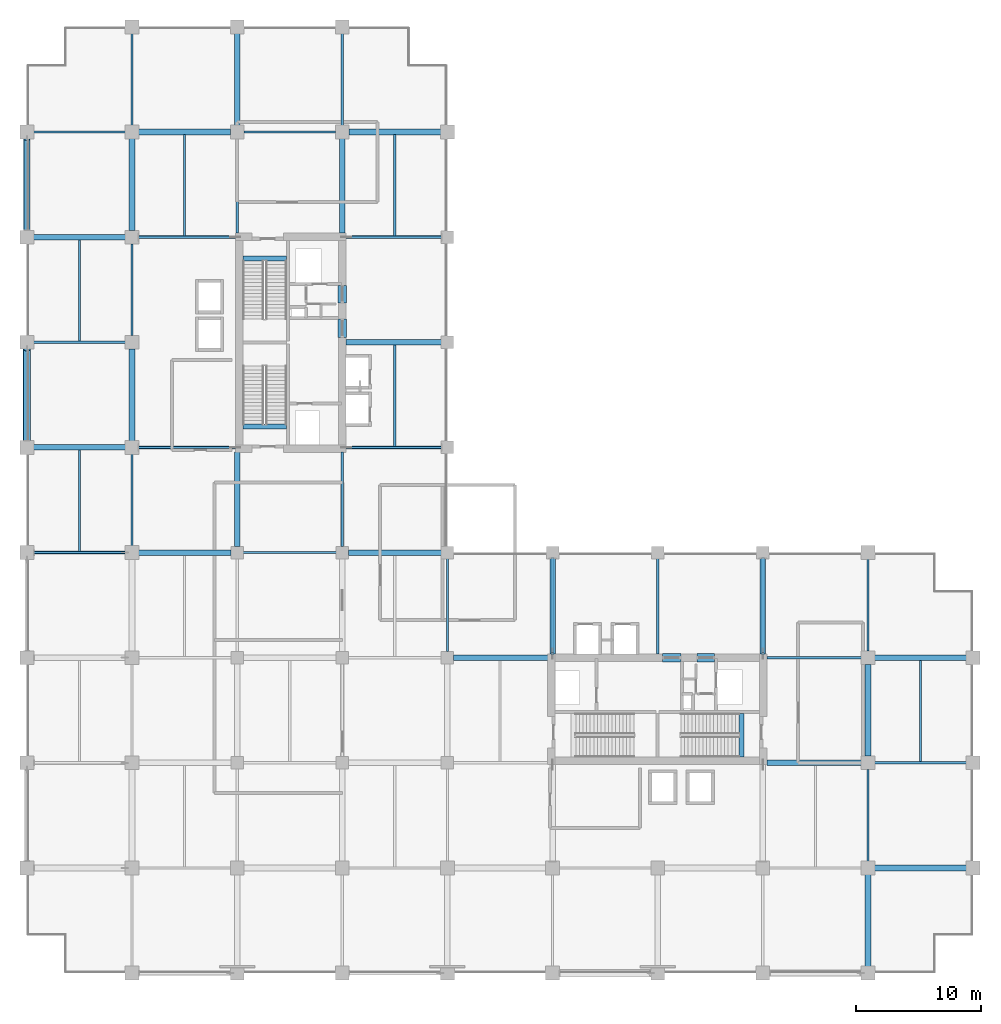
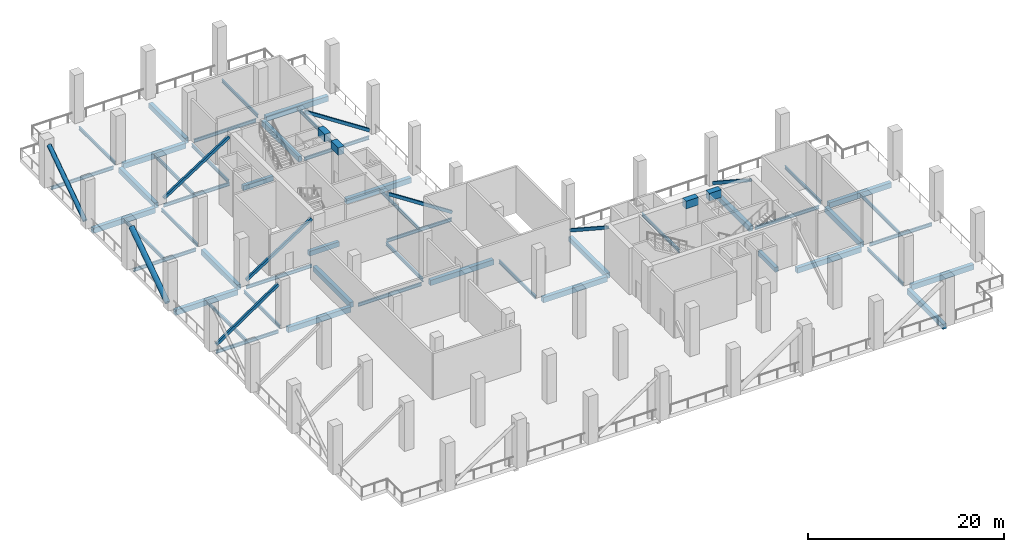
# One storey, part 2 of 18: 54 beams, 9 members.
"""IFC4 building model written with IfcOpenShell, lengths in metres."""

from ifc_helpers import new_model, si_unit, direction, frame, origin, origin_2d, place, context, subcontext, project, spatial, rectangle, hollow_rectangle, hollow_circle, i_section, extrude, material, material_profile, profile_set, type_object, element, save


model = new_model("IFC4")

# Units and contexts
model_context = context("Model", 3, precision=1e-05, world=origin(), true_north=direction((0.0, 1.0)))
body_context = subcontext(model_context, "Body", "Model", "MODEL_VIEW")
ifc_project = project(units=[si_unit("LENGTHUNIT", "METRE"), si_unit("AREAUNIT", "SQUARE_METRE"), si_unit("VOLUMEUNIT", "CUBIC_METRE"), si_unit("PLANEANGLEUNIT", "RADIAN"), si_unit("MASSUNIT", "GRAM", prefix="KILO")], contexts=[model_context])

# Site, building, storey
site_placement = place(None, origin())
site = spatial("IfcSite", under=ifc_project, at=site_placement, CompositionType="ELEMENT")
building_placement = place(site_placement, origin())
building = spatial("IfcBuilding", under=site, at=building_placement, Name="Koriwani Terraces Tower", CompositionType="ELEMENT")
storey_placement = place(building_placement, frame((0.0, 0.0, 228.199951171875)))
storey = spatial("IfcBuildingStorey", under=building, at=storey_placement, Name="L56", CompositionType="ELEMENT", Elevation=228.199951171875)

# Beams
ifc_material_1 = material(Name="Concrete C60/75", Category="concrete")
ifc_material_profile_1 = material_profile(ifc_material_1, rectangle(XDim=0.699951171875, YDim=0.949951171875, at=origin_2d()), Name="Concrete C60/75", Category="LoadBearing")
ifc_profile_set_1 = profile_set([ifc_material_profile_1], Name="Concrete C60/75")
beam_type_1 = type_object("IfcBeamType", Name="BEAM_RC_COUPLING_700X950", PredefinedType="LINTEL", material=ifc_profile_set_1)
beam_1_placement = place(storey_placement, frame((25.199951171875, 50.800048828125, 5.295166015625), z_axis=(0.0, 1.0, 0.0), x_axis=(-1.0, 0.0, 0.0)))
element("IfcBeam", 1, at=beam_1_placement, inside=storey, type_object=beam_type_1, Name="L56 Core Coupling Lintel Beam WE1", PredefinedType="LINTEL", context=body_context, shape_type="SweptSolid", body=[
    extrude(rectangle(XDim=0.699951171875, YDim=0.949951171875, at=origin_2d()), origin(), (0.0, 0.0, 1.0), 1.47998046875),
])
beam_2_placement = place(storey_placement, frame((25.199951171875, 53.550048828125, 5.295166015625), z_axis=(0.0, 1.0, 0.0), x_axis=(-1.0, 0.0, 0.0)))
element("IfcBeam", 2, at=beam_2_placement, inside=storey, type_object=beam_type_1, Name="L56 Core Coupling Lintel Beam WE2", PredefinedType="LINTEL", context=body_context, shape_type="SweptSolid", body=[
    extrude(rectangle(XDim=0.699951171875, YDim=0.949951171875, at=origin_2d()), origin(), (0.0, 0.0, 1.0), 1.39990234375),
])
beam_3_placement = place(storey_placement, frame((50.800048828125, 25.199951171875, 5.295166015625), z_axis=(1.0, 0.0, 0.0), x_axis=(0.0, 1.0, 0.0)))
element("IfcBeam", 3, at=beam_3_placement, inside=storey, type_object=beam_type_1, Name="L56 Core Coupling Lintel Beam EN1", PredefinedType="LINTEL", context=body_context, shape_type="SweptSolid", body=[
    extrude(rectangle(XDim=0.699951171875, YDim=0.949951171875, at=origin_2d()), origin(), (0.0, 0.0, 1.0), 1.47998046875),
])
beam_4_placement = place(storey_placement, frame((53.550048828125, 25.199951171875, 5.295166015625), z_axis=(1.0, 0.0, 0.0), x_axis=(0.0, 1.0, 0.0)))
element("IfcBeam", 4, at=beam_4_placement, inside=storey, type_object=beam_type_1, Name="L56 Core Coupling Lintel Beam EN2", PredefinedType="LINTEL", context=body_context, shape_type="SweptSolid", body=[
    extrude(rectangle(XDim=0.699951171875, YDim=0.949951171875, at=origin_2d()), origin(), (0.0, 0.0, 1.0), 1.39990234375),
])
ifc_material_2 = material(Name="Concrete C40/50", Category="concrete")
ifc_material_profile_2 = material_profile(ifc_material_2, rectangle(XDim=0.39990234375, YDim=0.60009765625, at=origin_2d()), Name="Concrete C40/50", Category="LoadBearing")
ifc_profile_set_2 = profile_set([ifc_material_profile_2], Name="Concrete C40/50")
beam_type_2 = type_object("IfcBeamType", Name="BEAM_RC_GRID_400X600", PredefinedType="BEAM", material=ifc_profile_set_2)
for number, where, z_axis, x_axis, name in (
    (5, (17.25, 43.655029296875, -0.300048828125), (1.0, 0.0, 0.0), (0.0, 1.0, 0.0), "L56 Stairwell Header Trimmer Beam ST-W1"),
    (6, (17.25, 57.094970703125, -0.300048828125), (1.0, 0.0, 0.0), (0.0, 1.0, 0.0), "L56 Stairwell Header Trimmer Beam ST-W2"),
    (7, (57.094970703125, 17.25, -0.300048828125), (0.0, 1.0, 0.0), (-1.0, 0.0, 0.0), "L56 Stairwell Header Trimmer Beam ST-E2"),
):
    element("IfcBeam", number, at=place(storey_placement, frame(where, z_axis=z_axis, x_axis=x_axis)), inside=storey, type_object=beam_type_2, Name=name, PredefinedType="BEAM", context=body_context, shape_type="SweptSolid", body=[
        extrude(rectangle(XDim=0.39990234375, YDim=0.60009765625, at=origin_2d()), origin(), (0.0, 0.0, 1.0), 3.5),
    ])
ifc_material_3 = material(Name="Concrete C50/60", Category="concrete")
ifc_material_profile_3 = material_profile(ifc_material_3, rectangle(XDim=0.449951171875, YDim=0.64990234375, at=origin_2d()), Name="Concrete C50/60", Category="LoadBearing")
ifc_profile_set_3 = profile_set([ifc_material_profile_3], Name="Concrete C50/60")
beam_type_3 = type_object("IfcBeamType", Name="BEAM_RC_GRID_450X650", PredefinedType="BEAM", material=ifc_profile_set_3)
beam_5_placement = place(storey_placement, frame((67.72998046875, 8.39990234375, -0.77490234375), z_axis=(1.0, 0.0, 0.0), x_axis=(0.0, 1.0, 0.0)))
element("IfcBeam", 8, at=beam_5_placement, inside=storey, type_object=beam_type_3, Name="L56 Grid Beam B (67.2-75.6m)", PredefinedType="BEAM", context=body_context, shape_type="SweptSolid", body=[
    extrude(rectangle(XDim=0.449951171875, YDim=0.64990234375, at=origin_2d()), origin(), (0.0, 0.0, 1.0), 7.340087890625),
])
for number, where, z_axis, x_axis, name in (
    (9, (59.1298828125, 16.800048828125, -0.77490234375), (1.0, 0.0, 0.0), (0.0, 1.0, 0.0), "L56 Grid Beam C (58.8-67.2m)"),
    (10, (34.080078125, 25.199951171875, -0.77490234375), (1.0, 0.0, 0.0), (0.0, 1.0, 0.0), "L56 Grid Beam D (33.6-42.0m)"),
):
    element("IfcBeam", number, at=place(storey_placement, frame(where, z_axis=z_axis, x_axis=x_axis)), inside=storey, type_object=beam_type_3, Name=name, PredefinedType="BEAM", context=body_context, shape_type="SweptSolid", body=[
        extrude(rectangle(XDim=0.449951171875, YDim=0.64990234375, at=origin_2d()), origin(), (0.0, 0.0, 1.0), 7.5400390625),
    ])
beam_6_placement = place(storey_placement, frame((67.72998046875, 25.199951171875, -0.77490234375), z_axis=(1.0, 0.0, 0.0), x_axis=(0.0, 1.0, 0.0)))
element("IfcBeam", 11, at=beam_6_placement, inside=storey, type_object=beam_type_3, Name="L56 Grid Beam D (67.2-75.6m)", PredefinedType="BEAM", context=body_context, shape_type="SweptSolid", body=[
    extrude(rectangle(XDim=0.449951171875, YDim=0.64990234375, at=origin_2d()), origin(), (0.0, 0.0, 1.0), 7.340087890625),
])
beam_7_placement = place(storey_placement, frame((8.929931640625, 33.60009765625, -0.77490234375), z_axis=(1.0, 0.0, 0.0), x_axis=(0.0, 1.0, 0.0)))
element("IfcBeam", 12, at=beam_7_placement, inside=storey, type_object=beam_type_3, Name="L56 Grid Beam E (8.4-16.8m)", PredefinedType="BEAM", context=body_context, shape_type="SweptSolid", body=[
    extrude(rectangle(XDim=0.449951171875, YDim=0.64990234375, at=origin_2d()), origin(), (0.0, 0.0, 1.0), 7.39013671875),
])
beam_8_placement = place(storey_placement, frame((25.679931640625, 33.60009765625, -0.77490234375), z_axis=(1.0, 0.0, 0.0), x_axis=(0.0, 1.0, 0.0)))
element("IfcBeam", 13, at=beam_8_placement, inside=storey, type_object=beam_type_3, Name="L56 Grid Beam E (25.2-33.6m)", PredefinedType="BEAM", context=body_context, shape_type="SweptSolid", body=[
    extrude(rectangle(XDim=0.449951171875, YDim=0.64990234375, at=origin_2d()), origin(), (0.0, 0.0, 1.0), 7.440185546875),
])
beam_9_placement = place(storey_placement, frame((0.530029296875, 42.0, -0.77490234375), z_axis=(1.0, 0.0, 0.0), x_axis=(0.0, 1.0, 0.0)))
element("IfcBeam", 14, at=beam_9_placement, inside=storey, type_object=beam_type_3, Name="L56 Grid Beam F (0.0-8.4m)", PredefinedType="BEAM", context=body_context, shape_type="SweptSolid", body=[
    extrude(rectangle(XDim=0.449951171875, YDim=0.64990234375, at=origin_2d()), origin(), (0.0, 0.0, 1.0), 7.340087890625),
])
beam_10_placement = place(storey_placement, frame((25.47998046875, 50.39990234375, -0.77490234375), z_axis=(1.0, 0.0, 0.0), x_axis=(0.0, 1.0, 0.0)))
element("IfcBeam", 15, at=beam_10_placement, inside=storey, type_object=beam_type_3, Name="L56 Grid Beam G (25.2-33.6m)", PredefinedType="BEAM", context=body_context, shape_type="SweptSolid", body=[
    extrude(rectangle(XDim=0.449951171875, YDim=0.64990234375, at=origin_2d()), origin(), (0.0, 0.0, 1.0), 7.64013671875),
])
for number, where, z_axis, x_axis, name in (
    (16, (0.530029296875, 58.800048828125, -0.77490234375), (1.0, 0.0, 0.0), (0.0, 1.0, 0.0), "L56 Grid Beam H (0.0-8.4m)"),
    (17, (8.929931640625, 67.199951171875, -0.77490234375), (1.0, 0.0, 0.0), (0.0, 1.0, 0.0), "L56 Grid Beam I (8.4-16.8m)"),
    (18, (25.72998046875, 67.199951171875, -0.77490234375), (1.0, 0.0, 0.0), (0.0, 1.0, 0.0), "L56 Grid Beam I (25.2-33.6m)"),
    (19, (8.39990234375, 42.530029296875, -0.77490234375), (0.0, 1.0, 0.0), (-1.0, 0.0, 0.0), "L56 Grid Beam 2 (42.0-50.4m)"),
):
    element("IfcBeam", number, at=place(storey_placement, frame(where, z_axis=z_axis, x_axis=x_axis)), inside=storey, type_object=beam_type_3, Name=name, PredefinedType="BEAM", context=body_context, shape_type="SweptSolid", body=[
        extrude(rectangle(XDim=0.449951171875, YDim=0.64990234375, at=origin_2d()), origin(), (0.0, 0.0, 1.0), 7.340087890625),
    ])
beam_11_placement = place(storey_placement, frame((8.39990234375, 59.330078125, -0.77490234375), z_axis=(0.0, 1.0, 0.0), x_axis=(-1.0, 0.0, 0.0)))
element("IfcBeam", 20, at=beam_11_placement, inside=storey, type_object=beam_type_3, Name="L56 Grid Beam 2 (58.8-67.2m)", PredefinedType="BEAM", context=body_context, shape_type="SweptSolid", body=[
    extrude(rectangle(XDim=0.449951171875, YDim=0.64990234375, at=origin_2d()), origin(), (0.0, 0.0, 1.0), 7.33984375),
])
beam_12_placement = place(storey_placement, frame((16.800048828125, 34.080078125, -0.77490234375), z_axis=(0.0, 1.0, 0.0), x_axis=(-1.0, 0.0, 0.0)))
element("IfcBeam", 21, at=beam_12_placement, inside=storey, type_object=beam_type_3, Name="L56 Grid Beam 3 (33.6-42.0m)", PredefinedType="BEAM", context=body_context, shape_type="SweptSolid", body=[
    extrude(rectangle(XDim=0.449951171875, YDim=0.64990234375, at=origin_2d()), origin(), (0.0, 0.0, 1.0), 7.5400390625),
])
beam_13_placement = place(storey_placement, frame((16.800048828125, 67.72998046875, -0.77490234375), z_axis=(0.0, 1.0, 0.0), x_axis=(-1.0, 0.0, 0.0)))
element("IfcBeam", 22, at=beam_13_placement, inside=storey, type_object=beam_type_3, Name="L56 Grid Beam 3 (67.2-75.6m)", PredefinedType="BEAM", context=body_context, shape_type="SweptSolid", body=[
    extrude(rectangle(XDim=0.449951171875, YDim=0.64990234375, at=origin_2d()), origin(), (0.0, 0.0, 1.0), 7.340087890625),
])
beam_14_placement = place(storey_placement, frame((25.199951171875, 59.1298828125, -0.77490234375), z_axis=(0.0, 1.0, 0.0), x_axis=(-1.0, 0.0, 0.0)))
element("IfcBeam", 23, at=beam_14_placement, inside=storey, type_object=beam_type_3, Name="L56 Grid Beam 4 (58.8-67.2m)", PredefinedType="BEAM", context=body_context, shape_type="SweptSolid", body=[
    extrude(rectangle(XDim=0.449951171875, YDim=0.64990234375, at=origin_2d()), origin(), (0.0, 0.0, 1.0), 7.5400390625),
])
for number, where, z_axis, x_axis, name in (
    (24, (42.0, 25.47998046875, -0.77490234375), (0.0, 1.0, 0.0), (-1.0, 0.0, 0.0), "L56 Grid Beam 6 (25.2-33.6m)"),
    (25, (58.800048828125, 25.47998046875, -0.77490234375), (0.0, 1.0, 0.0), (-1.0, 0.0, 0.0), "L56 Grid Beam 8 (25.2-33.6m)"),
):
    element("IfcBeam", number, at=place(storey_placement, frame(where, z_axis=z_axis, x_axis=x_axis)), inside=storey, type_object=beam_type_3, Name=name, PredefinedType="BEAM", context=body_context, shape_type="SweptSolid", body=[
        extrude(rectangle(XDim=0.449951171875, YDim=0.64990234375, at=origin_2d()), origin(), (0.0, 0.0, 1.0), 7.64013671875),
    ])
beam_15_placement = place(storey_placement, frame((67.199951171875, 0.530029296875, -0.77490234375), z_axis=(0.0, 1.0, 0.0), x_axis=(-1.0, 0.0, 0.0)))
element("IfcBeam", 26, at=beam_15_placement, inside=storey, type_object=beam_type_3, Name="L56 Grid Beam 9 (0.0-8.4m)", PredefinedType="BEAM", context=body_context, shape_type="SweptSolid", body=[
    extrude(rectangle(XDim=0.449951171875, YDim=0.64990234375, at=origin_2d()), origin(), (0.0, 0.0, 1.0), 7.340087890625),
])
beam_16_placement = place(storey_placement, frame((67.199951171875, 17.330078125, -0.77490234375), z_axis=(0.0, 1.0, 0.0), x_axis=(-1.0, 0.0, 0.0)))
element("IfcBeam", 27, at=beam_16_placement, inside=storey, type_object=beam_type_3, Name="L56 Grid Beam 9 (16.8-25.2m)", PredefinedType="BEAM", context=body_context, shape_type="SweptSolid", body=[
    extrude(rectangle(XDim=0.449951171875, YDim=0.64990234375, at=origin_2d()), origin(), (0.0, 0.0, 1.0), 7.33984375),
])

# Members
ifc_material_4 = material(Name="Steel ASTM A572 Grade 50", Category="steel")
ifc_material_profile_4 = material_profile(ifc_material_4, hollow_circle(Radius=0.25390625, WallThickness=0.02001953125, at=origin_2d()), Name="Steel ASTM A572 Grade 50", Category="LoadBearing")
ifc_profile_set_4 = profile_set([ifc_material_profile_4], Name="Steel ASTM A572 Grade 50")
member_type_1 = type_object("IfcMemberType", Name="BELT_TRUSS_DIAG_CHS508X20", PredefinedType="STRUT", material=ifc_profile_set_4)
member_1_placement = place(storey_placement, frame((0.0, 59.330078125, 0.25), z_axis=(0.0, 0.82803294848, 0.560679441598), x_axis=(-1.0, 0.0, 0.0)))
element("IfcMember", 28, at=member_1_placement, inside=storey, type_object=member_type_1, Name="Belt truss diagonal L56-BW4", PredefinedType="STRUT", context=body_context, shape_type="SweptSolid", body=[
    extrude(hollow_circle(Radius=0.25390625, WallThickness=0.02001953125, at=origin_2d()), origin(), (0.0, 0.0, 1.0), 8.8642578125),
])
ifc_material_profile_5 = material_profile(ifc_material_4, hollow_circle(Radius=0.304931640625, WallThickness=0.02490234375, at=origin_2d()), Name="Steel ASTM A572 Grade 50", Category="LoadBearing")
ifc_profile_set_5 = profile_set([ifc_material_profile_5], Name="Steel ASTM A572 Grade 50")
member_type_2 = type_object("IfcMemberType", Name="BELT_TRUSS_DIAG_CHS610X25", PredefinedType="STRUT", material=ifc_profile_set_5)
member_2_placement = place(storey_placement, frame((0.0, 42.530029296875, 0.25), z_axis=(0.0, 0.828041606434, 0.560666654987), x_axis=(-1.0, 0.0, 0.0)))
element("IfcMember", 29, at=member_2_placement, inside=storey, type_object=member_type_2, Name="Belt truss diagonal L56-BW3", PredefinedType="STRUT", context=body_context, shape_type="SweptSolid", body=[
    extrude(hollow_circle(Radius=0.304931640625, WallThickness=0.02490234375, at=origin_2d()), origin(), (0.0, 0.0, 1.0), 8.864501953125),
])
ifc_material_profile_6 = material_profile(ifc_material_4, hollow_rectangle(XDim=0.25, YDim=0.35009765625, WallThickness=0.012451171875, at=origin_2d()), Name="Steel ASTM A572 Grade 50", Category="LoadBearing")
ifc_profile_set_6 = profile_set([ifc_material_profile_6], Name="Steel ASTM A572 Grade 50")
member_type_3 = type_object("IfcMemberType", Name="OUTRIGGER_BRACE_HSS350X250X12", PredefinedType="BRACE", material=ifc_profile_set_6)
for number, where, z_axis, x_axis, name in (
    (30, (8.929931640625, 42.0, 0.25), (0.840184278285, 0.0, 0.542301003616), (0.0, 1.0, 0.0), "Outrigger truss diagonal L56-OW-W1"),
    (31, (8.929931640625, 58.800048828125, 0.25), (0.840184278285, 0.0, 0.542301003616), (0.0, 1.0, 0.0), "Outrigger truss diagonal L56-OW-W2"),
):
    element("IfcMember", number, at=place(storey_placement, frame(where, z_axis=z_axis, x_axis=x_axis)), inside=storey, type_object=member_type_3, Name=name, PredefinedType="BRACE", context=body_context, shape_type="SweptSolid", body=[
        extrude(hollow_rectangle(XDim=0.25, YDim=0.35009765625, WallThickness=0.012451171875, at=origin_2d()), origin(), (0.0, 0.0, 1.0), 9.16455078125),
    ])
for number, where, z_axis, x_axis, name in (
    (32, (33.1201171875, 42.0, 0.25), (-0.836935511359, 0.0, 0.547301516375), (0.0, -1.0, 0.0), "Outrigger truss diagonal L56-OW-E1"),
    (33, (33.1201171875, 58.800048828125, 0.25), (-0.836935511359, 0.0, 0.547301516375), (0.0, -1.0, 0.0), "Outrigger truss diagonal L56-OW-E2"),
    (34, (42.0, 33.1201171875, 0.25), (0.0, -0.836935511359, 0.547301516375), (1.0, 0.0, 0.0), "Outrigger truss diagonal L56-OE-N1"),
    (35, (58.800048828125, 33.1201171875, 0.25), (0.0, -0.836935511359, 0.547301516375), (1.0, 0.0, 0.0), "Outrigger truss diagonal L56-OE-N2"),
):
    element("IfcMember", number, at=place(storey_placement, frame(where, z_axis=z_axis, x_axis=x_axis)), inside=storey, type_object=member_type_3, Name=name, PredefinedType="BRACE", context=body_context, shape_type="SweptSolid", body=[
        extrude(hollow_rectangle(XDim=0.25, YDim=0.35009765625, WallThickness=0.012451171875, at=origin_2d()), origin(), (0.0, 0.0, 1.0), 9.080810546875),
    ])
member_3_placement = place(storey_placement, frame((0.530029296875, 33.60009765625, 0.25), z_axis=(0.828041606434, 0.0, 0.560666654987), x_axis=(0.0, 1.0, 0.0)))
element("IfcMember", 36, at=member_3_placement, inside=storey, type_object=member_type_3, Name="Transfer truss spine setback diagonal L56 Y=33.6m", PredefinedType="BRACE", context=body_context, shape_type="SweptSolid", body=[
    extrude(hollow_rectangle(XDim=0.25, YDim=0.35009765625, WallThickness=0.012451171875, at=origin_2d()), origin(), (0.0, 0.0, 1.0), 8.864501953125),
])

# Beams
ifc_material_profile_7 = material_profile(ifc_material_4, i_section(OverallWidth=0.180908203125, OverallDepth=0.4169921875, WebThickness=0.010986328125, FlangeThickness=0.018310546875, at=origin_2d()), Name="Steel ASTM A572 Grade 50", Category="LoadBearing")
ifc_profile_set_7 = profile_set([ifc_material_profile_7], Name="Steel ASTM A572 Grade 50")
beam_type_4 = type_object("IfcBeamType", Name="STEEL_BEAM_W410X85", PredefinedType="JOIST", material=ifc_profile_set_7)
beam_17_placement = place(storey_placement, frame((67.72998046875, 16.800048828125, -0.658447265625), z_axis=(1.0, 0.0, 0.0), x_axis=(0.0, 1.0, 0.0)))
element("IfcBeam", 37, at=beam_17_placement, inside=storey, type_object=beam_type_4, Name="L56 Grid Beam C (67.2-75.6m)", PredefinedType="JOIST", context=body_context, shape_type="SweptSolid", body=[
    extrude(i_section(OverallWidth=0.180908203125, OverallDepth=0.4169921875, WebThickness=0.010986328125, FlangeThickness=0.018310546875, at=origin_2d()), origin(), (0.0, 0.0, 1.0), 7.340087890625),
])
beam_18_placement = place(storey_placement, frame((59.1298828125, 25.199951171875, -0.658447265625), z_axis=(1.0, 0.0, 0.0), x_axis=(0.0, 1.0, 0.0)))
element("IfcBeam", 38, at=beam_18_placement, inside=storey, type_object=beam_type_4, Name="L56 Grid Beam D (58.8-67.2m)", PredefinedType="JOIST", context=body_context, shape_type="SweptSolid", body=[
    extrude(i_section(OverallWidth=0.180908203125, OverallDepth=0.4169921875, WebThickness=0.010986328125, FlangeThickness=0.018310546875, at=origin_2d()), origin(), (0.0, 0.0, 1.0), 7.5400390625),
])
beam_19_placement = place(storey_placement, frame((0.530029296875, 33.60009765625, -0.658447265625), z_axis=(1.0, 0.0, 0.0), x_axis=(0.0, 1.0, 0.0)))
element("IfcBeam", 39, at=beam_19_placement, inside=storey, type_object=beam_type_4, Name="L56 Grid Beam E (0.0-8.4m)", PredefinedType="JOIST", context=body_context, shape_type="SweptSolid", body=[
    extrude(i_section(OverallWidth=0.180908203125, OverallDepth=0.4169921875, WebThickness=0.010986328125, FlangeThickness=0.018310546875, at=origin_2d()), origin(), (0.0, 0.0, 1.0), 7.340087890625),
])
beam_20_placement = place(storey_placement, frame((17.280029296875, 33.60009765625, -0.658447265625), z_axis=(1.0, 0.0, 0.0), x_axis=(0.0, 1.0, 0.0)))
element("IfcBeam", 40, at=beam_20_placement, inside=storey, type_object=beam_type_4, Name="L56 Grid Beam E (16.8-25.2m)", PredefinedType="JOIST", context=body_context, shape_type="SweptSolid", body=[
    extrude(i_section(OverallWidth=0.180908203125, OverallDepth=0.4169921875, WebThickness=0.010986328125, FlangeThickness=0.018310546875, at=origin_2d()), origin(), (0.0, 0.0, 1.0), 7.43994140625),
])
beam_21_placement = place(storey_placement, frame((8.929931640625, 42.0, -0.658447265625), z_axis=(1.0, 0.0, 0.0), x_axis=(0.0, 1.0, 0.0)))
element("IfcBeam", 41, at=beam_21_placement, inside=storey, type_object=beam_type_4, Name="L56 Grid Beam F (8.4-16.8m)", PredefinedType="JOIST", context=body_context, shape_type="SweptSolid", body=[
    extrude(i_section(OverallWidth=0.180908203125, OverallDepth=0.4169921875, WebThickness=0.010986328125, FlangeThickness=0.018310546875, at=origin_2d()), origin(), (0.0, 0.0, 1.0), 7.739990234375),
])
beam_22_placement = place(storey_placement, frame((25.47998046875, 42.0, -0.658447265625), z_axis=(1.0, 0.0, 0.0), x_axis=(0.0, 1.0, 0.0)))
element("IfcBeam", 42, at=beam_22_placement, inside=storey, type_object=beam_type_4, Name="L56 Grid Beam F (25.2-33.6m)", PredefinedType="JOIST", context=body_context, shape_type="SweptSolid", body=[
    extrude(i_section(OverallWidth=0.180908203125, OverallDepth=0.4169921875, WebThickness=0.010986328125, FlangeThickness=0.018310546875, at=origin_2d()), origin(), (0.0, 0.0, 1.0), 7.64013671875),
])
beam_23_placement = place(storey_placement, frame((0.530029296875, 50.39990234375, -0.658447265625), z_axis=(1.0, 0.0, 0.0), x_axis=(0.0, 1.0, 0.0)))
element("IfcBeam", 43, at=beam_23_placement, inside=storey, type_object=beam_type_4, Name="L56 Grid Beam G (0.0-8.4m)", PredefinedType="JOIST", context=body_context, shape_type="SweptSolid", body=[
    extrude(i_section(OverallWidth=0.180908203125, OverallDepth=0.4169921875, WebThickness=0.010986328125, FlangeThickness=0.018310546875, at=origin_2d()), origin(), (0.0, 0.0, 1.0), 7.340087890625),
])
beam_24_placement = place(storey_placement, frame((8.929931640625, 58.800048828125, -0.658447265625), z_axis=(1.0, 0.0, 0.0), x_axis=(0.0, 1.0, 0.0)))
element("IfcBeam", 44, at=beam_24_placement, inside=storey, type_object=beam_type_4, Name="L56 Grid Beam H (8.4-16.8m)", PredefinedType="JOIST", context=body_context, shape_type="SweptSolid", body=[
    extrude(i_section(OverallWidth=0.180908203125, OverallDepth=0.4169921875, WebThickness=0.010986328125, FlangeThickness=0.018310546875, at=origin_2d()), origin(), (0.0, 0.0, 1.0), 7.739990234375),
])
beam_25_placement = place(storey_placement, frame((25.47998046875, 58.800048828125, -0.658447265625), z_axis=(1.0, 0.0, 0.0), x_axis=(0.0, 1.0, 0.0)))
element("IfcBeam", 45, at=beam_25_placement, inside=storey, type_object=beam_type_4, Name="L56 Grid Beam H (25.2-33.6m)", PredefinedType="JOIST", context=body_context, shape_type="SweptSolid", body=[
    extrude(i_section(OverallWidth=0.180908203125, OverallDepth=0.4169921875, WebThickness=0.010986328125, FlangeThickness=0.018310546875, at=origin_2d()), origin(), (0.0, 0.0, 1.0), 7.64013671875),
])
beam_26_placement = place(storey_placement, frame((0.530029296875, 67.199951171875, -0.658447265625), z_axis=(1.0, 0.0, 0.0), x_axis=(0.0, 1.0, 0.0)))
element("IfcBeam", 46, at=beam_26_placement, inside=storey, type_object=beam_type_4, Name="L56 Grid Beam I (0.0-8.4m)", PredefinedType="JOIST", context=body_context, shape_type="SweptSolid", body=[
    extrude(i_section(OverallWidth=0.180908203125, OverallDepth=0.4169921875, WebThickness=0.010986328125, FlangeThickness=0.018310546875, at=origin_2d()), origin(), (0.0, 0.0, 1.0), 7.340087890625),
])
beam_27_placement = place(storey_placement, frame((17.330078125, 67.199951171875, -0.658447265625), z_axis=(1.0, 0.0, 0.0), x_axis=(0.0, 1.0, 0.0)))
element("IfcBeam", 47, at=beam_27_placement, inside=storey, type_object=beam_type_4, Name="L56 Grid Beam I (16.8-25.2m)", PredefinedType="JOIST", context=body_context, shape_type="SweptSolid", body=[
    extrude(i_section(OverallWidth=0.180908203125, OverallDepth=0.4169921875, WebThickness=0.010986328125, FlangeThickness=0.018310546875, at=origin_2d()), origin(), (0.0, 0.0, 1.0), 7.33984375),
])
for number, where, z_axis, x_axis, name in (
    (48, (8.39990234375, 34.1298828125, -0.658447265625), (0.0, 1.0, 0.0), (-1.0, 0.0, 0.0), "L56 Grid Beam 2 (33.6-42.0m)"),
    (49, (8.39990234375, 50.929931640625, -0.658447265625), (0.0, 1.0, 0.0), (-1.0, 0.0, 0.0), "L56 Grid Beam 2 (50.4-58.8m)"),
    (50, (8.39990234375, 67.72998046875, -0.658447265625), (0.0, 1.0, 0.0), (-1.0, 0.0, 0.0), "L56 Grid Beam 2 (67.2-75.6m)"),
):
    element("IfcBeam", number, at=place(storey_placement, frame(where, z_axis=z_axis, x_axis=x_axis)), inside=storey, type_object=beam_type_4, Name=name, PredefinedType="JOIST", context=body_context, shape_type="SweptSolid", body=[
        extrude(i_section(OverallWidth=0.180908203125, OverallDepth=0.4169921875, WebThickness=0.010986328125, FlangeThickness=0.018310546875, at=origin_2d()), origin(), (0.0, 0.0, 1.0), 7.340087890625),
    ])
for number, where, z_axis, x_axis, name in (
    (51, (16.800048828125, 59.1298828125, -0.658447265625), (0.0, 1.0, 0.0), (-1.0, 0.0, 0.0), "L56 Grid Beam 3 (58.8-67.2m)"),
    (52, (25.199951171875, 34.080078125, -0.658447265625), (0.0, 1.0, 0.0), (-1.0, 0.0, 0.0), "L56 Grid Beam 4 (33.6-42.0m)"),
):
    element("IfcBeam", number, at=place(storey_placement, frame(where, z_axis=z_axis, x_axis=x_axis)), inside=storey, type_object=beam_type_4, Name=name, PredefinedType="JOIST", context=body_context, shape_type="SweptSolid", body=[
        extrude(i_section(OverallWidth=0.180908203125, OverallDepth=0.4169921875, WebThickness=0.010986328125, FlangeThickness=0.018310546875, at=origin_2d()), origin(), (0.0, 0.0, 1.0), 7.5400390625),
    ])
beam_28_placement = place(storey_placement, frame((25.199951171875, 67.72998046875, -0.658447265625), z_axis=(0.0, 1.0, 0.0), x_axis=(-1.0, 0.0, 0.0)))
element("IfcBeam", 53, at=beam_28_placement, inside=storey, type_object=beam_type_4, Name="L56 Grid Beam 4 (67.2-75.6m)", PredefinedType="JOIST", context=body_context, shape_type="SweptSolid", body=[
    extrude(i_section(OverallWidth=0.180908203125, OverallDepth=0.4169921875, WebThickness=0.010986328125, FlangeThickness=0.018310546875, at=origin_2d()), origin(), (0.0, 0.0, 1.0), 7.340087890625),
])
beam_29_placement = place(storey_placement, frame((33.60009765625, 25.679931640625, -0.658447265625), z_axis=(0.0, 1.0, 0.0), x_axis=(-1.0, 0.0, 0.0)))
element("IfcBeam", 54, at=beam_29_placement, inside=storey, type_object=beam_type_4, Name="L56 Grid Beam 5 (25.2-33.6m)", PredefinedType="JOIST", context=body_context, shape_type="SweptSolid", body=[
    extrude(i_section(OverallWidth=0.180908203125, OverallDepth=0.4169921875, WebThickness=0.010986328125, FlangeThickness=0.018310546875, at=origin_2d()), origin(), (0.0, 0.0, 1.0), 7.440185546875),
])
beam_30_placement = place(storey_placement, frame((50.39990234375, 25.47998046875, -0.658447265625), z_axis=(0.0, 1.0, 0.0), x_axis=(-1.0, 0.0, 0.0)))
element("IfcBeam", 55, at=beam_30_placement, inside=storey, type_object=beam_type_4, Name="L56 Grid Beam 7 (25.2-33.6m)", PredefinedType="JOIST", context=body_context, shape_type="SweptSolid", body=[
    extrude(i_section(OverallWidth=0.180908203125, OverallDepth=0.4169921875, WebThickness=0.010986328125, FlangeThickness=0.018310546875, at=origin_2d()), origin(), (0.0, 0.0, 1.0), 7.64013671875),
])
for number, where, z_axis, x_axis, name in (
    (56, (67.199951171875, 8.929931640625, -0.658447265625), (0.0, 1.0, 0.0), (-1.0, 0.0, 0.0), "L56 Grid Beam 9 (8.4-16.8m)"),
    (57, (67.199951171875, 25.72998046875, -0.658447265625), (0.0, 1.0, 0.0), (-1.0, 0.0, 0.0), "L56 Grid Beam 9 (25.2-33.6m)"),
):
    element("IfcBeam", number, at=place(storey_placement, frame(where, z_axis=z_axis, x_axis=x_axis)), inside=storey, type_object=beam_type_4, Name=name, PredefinedType="JOIST", context=body_context, shape_type="SweptSolid", body=[
        extrude(i_section(OverallWidth=0.180908203125, OverallDepth=0.4169921875, WebThickness=0.010986328125, FlangeThickness=0.018310546875, at=origin_2d()), origin(), (0.0, 0.0, 1.0), 7.340087890625),
    ])
for number, where, z_axis, x_axis, name in (
    (58, (4.199951171875, 33.680419921875, -0.658447265625), (0.0, 1.0, 0.0), (-1.0, 0.0, 0.0), "L56 Secondary Steel Floor Joist X=4.2m"),
    (59, (4.199951171875, 50.48046875, -0.658447265625), (0.0, 1.0, 0.0), (-1.0, 0.0, 0.0), "L56 Secondary Steel Floor Joist X=4.2m"),
    (60, (12.60009765625, 58.880615234375, -0.658447265625), (0.0, 1.0, 0.0), (-1.0, 0.0, 0.0), "L56 Secondary Steel Floor Joist X=12.6m"),
    (61, (29.39990234375, 42.08056640625, -0.658447265625), (0.0, 1.0, 0.0), (-1.0, 0.0, 0.0), "L56 Secondary Steel Floor Joist X=29.4m"),
    (62, (29.39990234375, 58.880615234375, -0.658447265625), (0.0, 1.0, 0.0), (-1.0, 0.0, 0.0), "L56 Secondary Steel Floor Joist X=29.4m"),
    (63, (71.39990234375, 16.880615234375, -0.658447265625), (0.0, 1.0, 0.0), (-1.0, 0.0, 0.0), "L56 Secondary Steel Floor Joist X=71.4m"),
):
    element("IfcBeam", number, at=place(storey_placement, frame(where, z_axis=z_axis, x_axis=x_axis)), inside=storey, type_object=beam_type_4, Name=name, PredefinedType="JOIST", context=body_context, shape_type="SweptSolid", body=[
        extrude(i_section(OverallWidth=0.180908203125, OverallDepth=0.4169921875, WebThickness=0.010986328125, FlangeThickness=0.018310546875, at=origin_2d()), origin(), (0.0, 0.0, 1.0), 8.1044921875),
    ])

save(model, "model.ifc")
